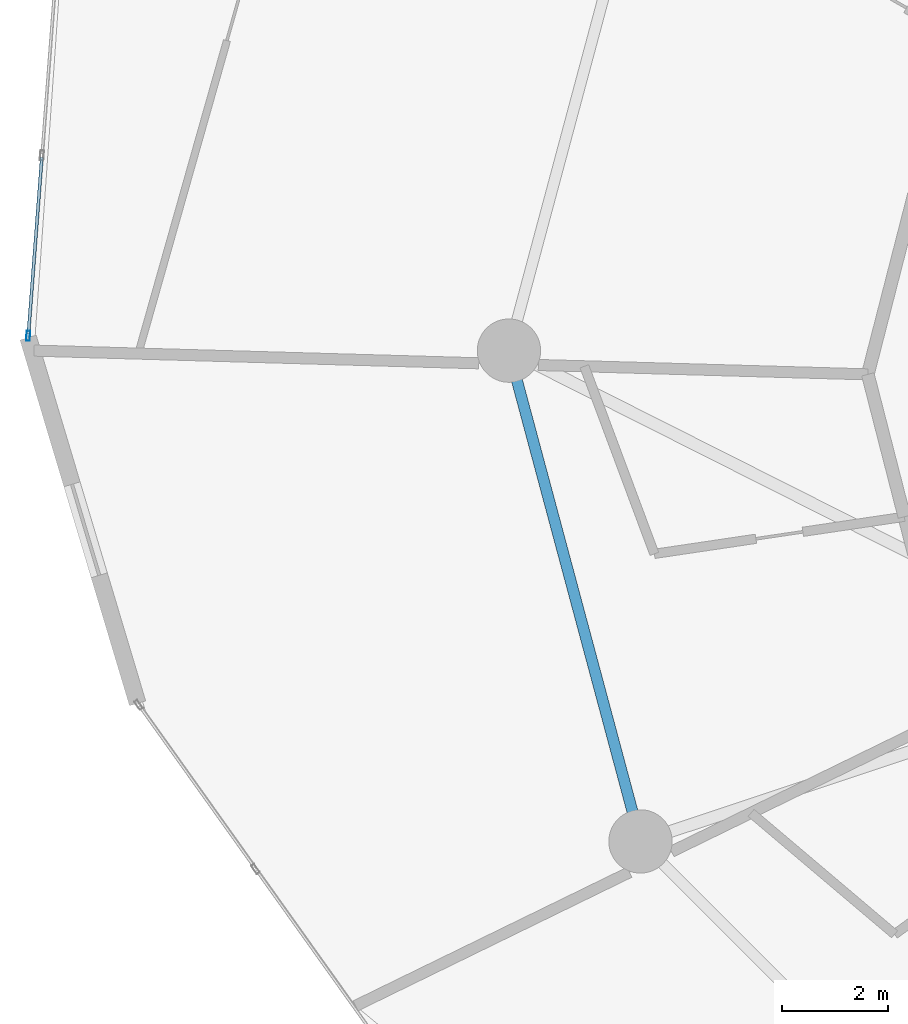
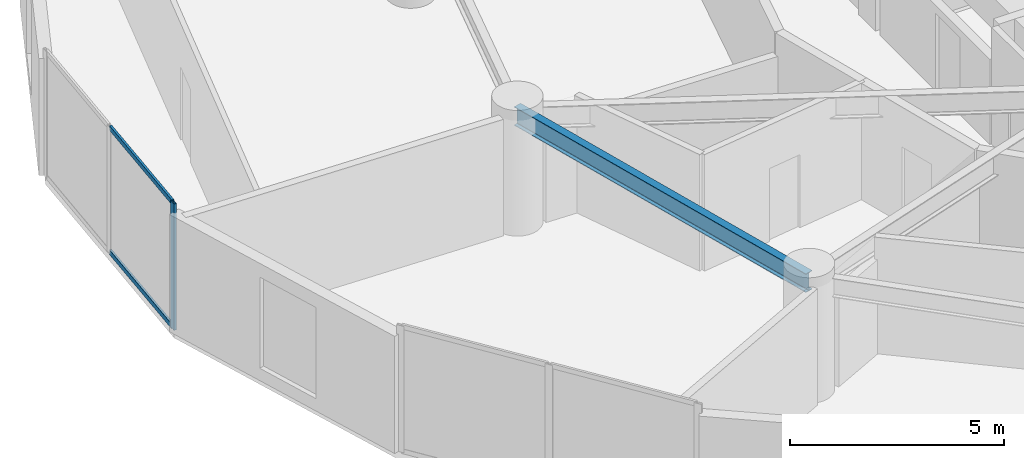
# One storey, part 6 of 25: 3 members, 1 beam, 1 element without a shape of its own.
"""IFC4 building model written with IfcOpenShell, lengths in metres."""

from ifc_helpers import new_model, si_unit, direction, frame, origin, origin_2d, place, context, subcontext, project, spatial, hollow_rectangle, i_section, extrude, source, transform, mapped, material, layer, layer_set, material_profile, profile_set, type_object, element, aggregate, save


model = new_model("IFC4")

# Units and contexts
model_context = context("Model", 3, precision=1e-05, world=origin(), true_north=direction((0.0, 1.0)))
body_context = subcontext(model_context, "Body", "Model", "MODEL_VIEW")
ifc_project = project(units=[si_unit("LENGTHUNIT", "METRE"), si_unit("AREAUNIT", "SQUARE_METRE"), si_unit("VOLUMEUNIT", "CUBIC_METRE"), si_unit("PLANEANGLEUNIT", "RADIAN"), si_unit("MASSUNIT", "GRAM", prefix="KILO")], contexts=[model_context])

# Site, building, storey
site_placement = place(None, origin())
site = spatial("IfcSite", under=ifc_project, at=site_placement, CompositionType="ELEMENT")
building_placement = place(site_placement, origin())
building = spatial("IfcBuilding", under=site, at=building_placement, Name="Solvirekh Grand Hotel", CompositionType="ELEMENT")
storey_placement = place(building_placement, frame((0.0, 0.0, 60.800048828125)))
storey = spatial("IfcBuildingStorey", under=building, at=storey_placement, Name="L14", CompositionType="ELEMENT", Elevation=60.800048828125)

# Beam
ifc_material_1 = material(Name="Steel S355", Category="steel")
ifc_material_profile_1 = material_profile(ifc_material_1, i_section(OverallWidth=0.208984375, OverallDepth=0.532958984375, WebThickness=0.010009765625, FlangeThickness=0.014892578125, FilletRadius=0.013916015625, at=origin_2d()), Name="W530X92")
ifc_profile_set_1 = profile_set([ifc_material_profile_1], Name="Steel S355")
beam_type = type_object("IfcBeamType", Name="Spandrel_Ring_W530", PredefinedType="SPANDREL", material=ifc_profile_set_1)
beam_placement = place(storey_placement, frame((-18.60009765625, 0.0, 3.072998046875), z_axis=(0.258842973314, -0.965919414426, 0.0), x_axis=(0.965919414426, 0.258842973314, 0.0)))
element("IfcBeam", 1, at=beam_placement, inside=storey, type_object=beam_type, Name="L14 perimeter spandrel beam 7", PredefinedType="SPANDREL", context=body_context, shape_type="SweptSolid", body=[
    extrude(i_section(OverallWidth=0.208984375, OverallDepth=0.532958984375, WebThickness=0.010009765625, FlangeThickness=0.014892578125, FilletRadius=0.013916015625, at=origin_2d()), origin(), (0.0, 0.0, 1.0), 9.628173828125),
])

# Curtain wall, members
ifc_material_2 = material(Name="Anodized Bronze Aluminium 6063-T6", Category="aluminium")
ifc_layer = layer(ifc_material_2, 0.18994140625)
ifc_layer_set = layer_set([ifc_layer], Name="Anodized Bronze Aluminium 6063-T6")
curtain_wall_type = type_object("IfcCurtainWallType", Name="CW_Sys2_LowZoneFlushBronzeCW", PredefinedType="NOTDEFINED", material=ifc_layer_set)
curtain_wall_placement = place(storey_placement, origin())
curtain_wall = element("IfcCurtainWall", 2, at=curtain_wall_placement, inside=storey, type_object=curtain_wall_type, Name="L14 unitised bronze-glass curtain wall CW-L14-C11", PredefinedType="NOTDEFINED")
ifc_material_profile_2 = material_profile(ifc_material_2, hollow_rectangle(XDim=0.070068359375, YDim=0.18994140625, WallThickness=0.0048828125, at=origin_2d()), Name="ALU RHS 190X70X5")
ifc_profile_set_2 = profile_set([ifc_material_profile_2], Name="Anodized Bronze Aluminium 6063-T6")
member_type_1 = type_object("IfcMemberType", Name="CWMullion_Sys2", PredefinedType="MULLION", material=ifc_profile_set_2)
shared_shape_1 = source(origin(), body_context, "Body", "SweptSolid", [
    extrude(hollow_rectangle(XDim=0.070068359375, YDim=0.18994140625, WallThickness=0.0048828125, at=origin_2d()), origin(), (0.0, 0.0, 1.0), 3.599853515625),
])
member_1_placement = place(storey_placement, frame((-27.709228515625, 0.281005859375, 0.0), z_axis=(0.0, 0.0, 1.0), x_axis=(0.997111956194, -0.075945683315, 0.0)))
member_1 = element("IfcMember", 3, at=member_1_placement, type_object=member_type_1, Name="U02 mullion 3", PredefinedType="MULLION", context=body_context, shape_type="MappedRepresentation", body=[
    mapped(shared_shape_1, transform((0.0, 0.0, 0.0), x_axis=(1.0, 0.0, 0.0), y_axis=(0.0, 1.0, 0.0), z_axis=(0.0, 0.0, 1.0), scale=1.0)),
])
ifc_material_profile_3 = material_profile(ifc_material_2, hollow_rectangle(XDim=0.06005859375, YDim=0.135009765625, WallThickness=0.00390625, at=origin_2d()), Name="ALU RHS 135X60X4")
ifc_profile_set_3 = profile_set([ifc_material_profile_3], Name="Anodized Bronze Aluminium 6063-T6")
member_type_2 = type_object("IfcMemberType", Name="CWTransom_Sys2", PredefinedType="USERDEFINED", material=ifc_profile_set_3)
shared_shape_2 = source(origin(), body_context, "Body", "SweptSolid", [
    extrude(hollow_rectangle(XDim=0.06005859375, YDim=0.135009765625, WallThickness=0.00390625, at=origin_2d()), origin(), (0.0, 0.0, 1.0), 3.35791015625),
])
member_2_placement = place(storey_placement, frame((-27.45166015625, 3.6640625, 0.030029296875), z_axis=(-0.075979241841, -0.997109399619, 0.0), x_axis=(0.997109399619, -0.075979241841, 0.0)))
member_2 = element("IfcMember", 4, at=member_2_placement, type_object=member_type_2, Name="U02 transom 2.1", ObjectType="TRANSOM", PredefinedType="USERDEFINED", context=body_context, shape_type="MappedRepresentation", body=[
    mapped(shared_shape_2, transform((0.0, 0.0, 0.0), x_axis=(1.0, 0.0, 0.0), y_axis=(0.0, 1.0, 0.0), z_axis=(0.0, 0.0, 1.0), scale=1.0)),
])
member_3_placement = place(storey_placement, frame((-27.45166015625, 3.6640625, 3.570068359375), z_axis=(-0.075979241841, -0.997109399619, 0.0), x_axis=(0.997109399619, -0.075979241841, 0.0)))
member_3 = element("IfcMember", 5, at=member_3_placement, type_object=member_type_2, Name="U02 transom 2.2", ObjectType="TRANSOM", PredefinedType="USERDEFINED", context=body_context, shape_type="MappedRepresentation", body=[
    mapped(shared_shape_2, transform((0.0, 0.0, 0.0), x_axis=(1.0, 0.0, 0.0), y_axis=(0.0, 1.0, 0.0), z_axis=(0.0, 0.0, 1.0), scale=1.0)),
])
aggregate(curtain_wall, [member_1, member_2, member_3])

save(model, "model.ifc")
